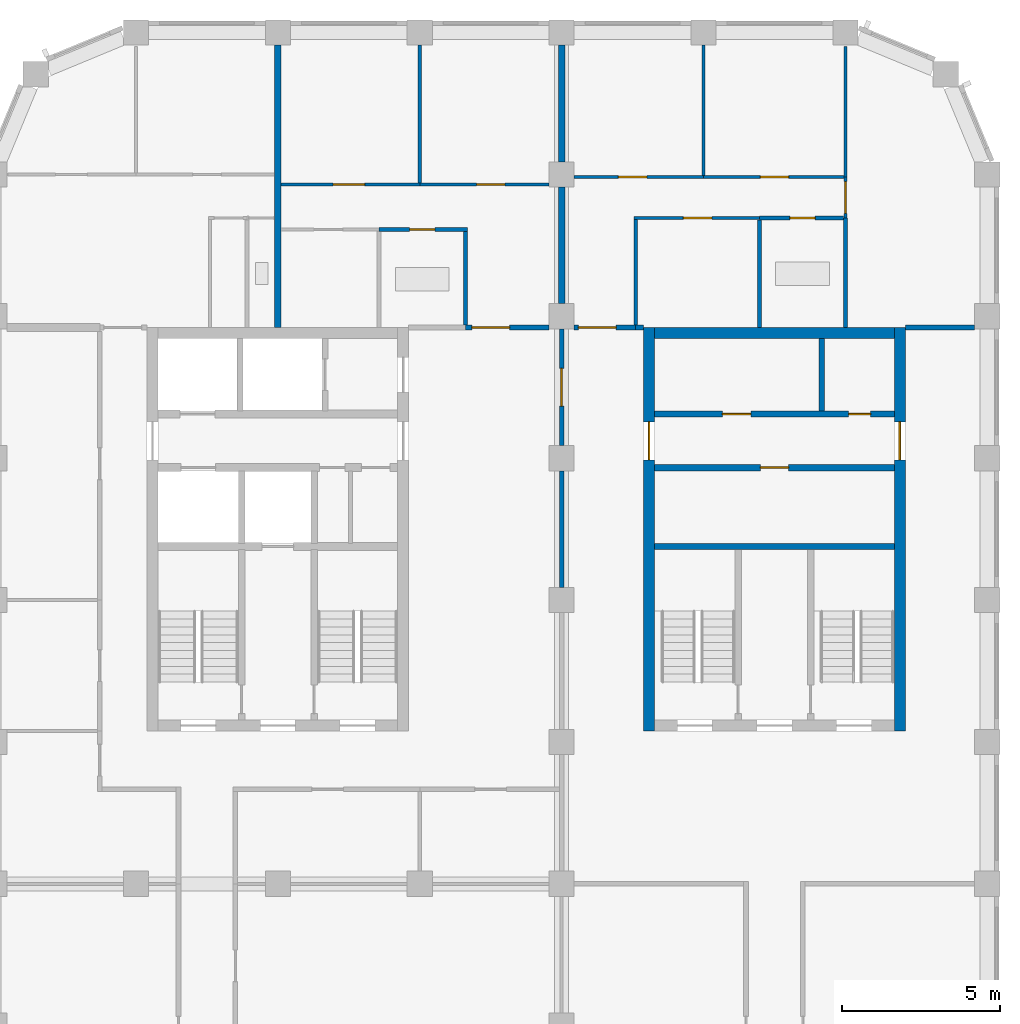
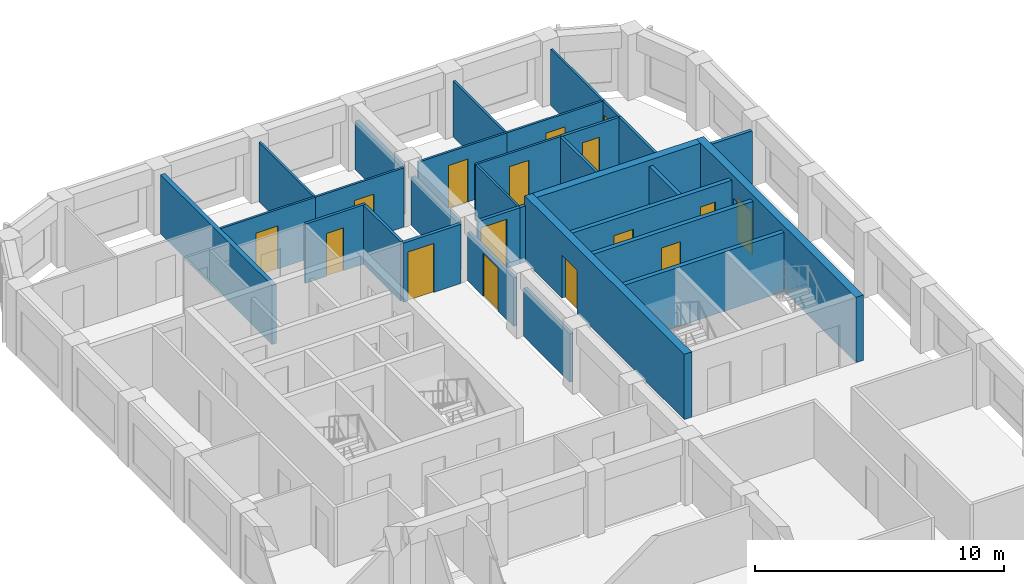
# One storey, part 6 of 9: 31 walls, 16 doors, 16 openings.
"""IFC4 building model written with IfcOpenShell, lengths in metres."""

from ifc_helpers import new_model, si_unit, direction, frame, frame_2d, origin, place, context, subcontext, project, spatial, rectangle, extrude, material, layer, layer_set, type_object, element, fill, save


model = new_model("IFC4")

# Units and contexts
model_context = context("Model", 3, precision=1e-05, world=origin(), true_north=direction((0.0, 1.0)))
body_context = subcontext(model_context, "Body", "Model", "MODEL_VIEW")
ifc_project = project(units=[si_unit("LENGTHUNIT", "METRE"), si_unit("AREAUNIT", "SQUARE_METRE"), si_unit("VOLUMEUNIT", "CUBIC_METRE"), si_unit("PLANEANGLEUNIT", "RADIAN"), si_unit("MASSUNIT", "GRAM", prefix="KILO")], contexts=[model_context])

# Site, building, storey
site_placement = place(None, origin())
site = spatial("IfcSite", under=ifc_project, at=site_placement, CompositionType="ELEMENT")
building_placement = place(site_placement, origin())
building = spatial("IfcBuilding", under=site, at=building_placement, Name="Girih Gate Residences", CompositionType="ELEMENT")
storey_placement = place(building_placement, frame((0.0, 0.0, 206.89501953125)))
storey = spatial("IfcBuildingStorey", under=building, at=storey_placement, Name="L57", CompositionType="ELEMENT", Elevation=206.89501953125)

# Wall, opening, door
ifc_material_1 = material(Name="Gypsum board on steel studs", Category="steel")
ifc_layer_1 = layer(ifc_material_1, 0.14990234375)
ifc_layer_set_1 = layer_set([ifc_layer_1], Name="Compartment wall 150 mm")
wall_type_1 = type_object("IfcWallType", Name="Compartment wall 150 mm", PredefinedType="PARTITIONING", material=ifc_layer_set_1)
wall_1_placement = place(storey_placement, frame((14.949951171875, 40.14990234375, 0.0), z_axis=(0.0, 0.0, 1.0), x_axis=(1.0, 0.0, 0.0)))
wall_1 = element("IfcWall", 1, at=wall_1_placement, inside=storey, type_object=wall_type_1, Name="L57 partition", PredefinedType="PARTITIONING", context=body_context, shape_type="SweptSolid", body=[
    extrude(rectangle(XDim=2.650146484375, YDim=0.14990234375, at=frame_2d((1.3251953125, 0.0))), origin(), (0.0, 0.0, 1.0), 2.89990234375),
])
opening_1_placement = place(wall_1_placement, frame((0.199951171875, 0.0, 0.0)))
opening_1 = element("IfcOpeningElement", 2, at=opening_1_placement, cuts=wall_1, Name="Opening A57-016", PredefinedType="OPENING", context=body_context, shape_type="SweptSolid", body=[
    extrude(rectangle(XDim=1.199951171875, YDim=2.39990234375, at=frame_2d((0.60009765625, 1.199951171875))), frame((0.0, 0.0849609375, 0.0), z_axis=(0.0, -1.0, 0.0), x_axis=(1.0, 0.0, 0.0)), (0.0, 0.0, 1.0), 0.169921875),
])
ifc_material_2 = material(Name="Timber, fire-rated core", Category="wood")
door_type_1 = type_object("IfcDoorType", Name="Villa entrance door 1200x2400 FD30S", OperationType="NOTDEFINED", PredefinedType="DOOR", material=ifc_material_2)
door_1_placement = place(opening_1_placement, origin())
door_1 = element("IfcDoor", 3, at=door_1_placement, inside=storey, type_object=door_type_1, Name="Door A57-016", OperationType="SINGLE_SWING_LEFT", OverallHeight=2.39990234375, OverallWidth=1.199951171875, PredefinedType="DOOR", context=body_context, shape_type="SweptSolid", body=[
    extrude(rectangle(XDim=1.199951171875, YDim=2.39990234375, at=frame_2d((0.60009765625, 1.199951171875))), frame((0.0, 0.02490234375, 0.0), z_axis=(0.0, -1.0, 0.0), x_axis=(1.0, 0.0, 0.0)), (0.0, 0.0, 1.0), 0.050048828125),
])
fill(opening_1, door_1)

wall_2_placement = place(storey_placement, frame((18.39990234375, 40.14990234375, 0.0), z_axis=(0.0, 0.0, 1.0), x_axis=(1.0, 0.0, 0.0)))
wall_2 = element("IfcWall", 4, at=wall_2_placement, inside=storey, type_object=wall_type_1, Name="L57 partition", PredefinedType="PARTITIONING", context=body_context, shape_type="SweptSolid", body=[
    extrude(rectangle(XDim=1.9501953125, YDim=0.14990234375, at=frame_2d((0.97509765625, 0.0))), origin(), (0.0, 0.0, 1.0), 2.75),
])
opening_2_placement = place(wall_2_placement, frame((0.1298828125, 0.0, 0.0)))
opening_2 = element("IfcOpeningElement", 5, at=opening_2_placement, cuts=wall_2, Name="Opening A57-022", PredefinedType="OPENING", context=body_context, shape_type="SweptSolid", body=[
    extrude(rectangle(XDim=1.199951171875, YDim=2.39990234375, at=frame_2d((0.60009765625, 1.199951171875))), frame((0.0, 0.0849609375, 0.0), z_axis=(0.0, -1.0, 0.0), x_axis=(1.0, 0.0, 0.0)), (0.0, 0.0, 1.0), 0.169921875),
])
door_2_placement = place(opening_2_placement, origin())
door_2 = element("IfcDoor", 6, at=door_2_placement, inside=storey, type_object=door_type_1, Name="Door A57-022", OperationType="SINGLE_SWING_LEFT", OverallHeight=2.39990234375, OverallWidth=1.199951171875, PredefinedType="DOOR", context=body_context, shape_type="SweptSolid", body=[
    extrude(rectangle(XDim=1.199951171875, YDim=2.39990234375, at=frame_2d((0.60009765625, 1.199951171875))), frame((0.0, 0.02490234375, 0.0), z_axis=(0.0, -1.0, 0.0), x_axis=(1.0, 0.0, 0.0)), (0.0, 0.0, 1.0), 0.050048828125),
])
fill(opening_2, door_2)

# Walls
wall_3_placement = place(storey_placement, frame((20.35009765625, 40.14990234375, 0.0), z_axis=(0.0, 0.0, 1.0), x_axis=(1.0, 0.0, 0.0)))
element("IfcWall", 7, at=wall_3_placement, inside=storey, type_object=wall_type_1, Name="L57 partition", PredefinedType="PARTITIONING", context=body_context, shape_type="SweptSolid", body=[
    extrude(rectangle(XDim=0.25, YDim=0.14990234375, at=frame_2d((0.125, 0.0))), origin(), (0.0, 0.0, 1.0), 2.75),
])
wall_4_placement = place(storey_placement, frame((28.89990234375, 40.14990234375, 0.0), z_axis=(0.0, 0.0, 1.0), x_axis=(1.0, 0.0, 0.0)))
element("IfcWall", 8, at=wall_4_placement, inside=storey, type_object=wall_type_1, Name="L57 partition", PredefinedType="PARTITIONING", context=body_context, shape_type="SweptSolid", body=[
    extrude(rectangle(XDim=2.2001953125, YDim=0.14990234375, at=frame_2d((1.10009765625, 0.0))), origin(), (0.0, 0.0, 1.0), 2.75),
])
wall_5_placement = place(storey_placement, frame((18.0, 31.89990234375, 0.0), z_axis=(0.0, 0.0, 1.0), x_axis=(0.0, 1.0, 0.0)))
element("IfcWall", 9, at=wall_5_placement, inside=storey, type_object=wall_type_1, Name="L57 partition", PredefinedType="PARTITIONING", context=body_context, shape_type="SweptSolid", body=[
    extrude(rectangle(XDim=3.7001953125, YDim=0.14990234375, at=frame_2d((1.85009765625, 0.0))), origin(), (0.0, 0.0, 1.0), 2.3798828125),
])

# Wall, opening, door
wall_6_placement = place(storey_placement, frame((18.0, 40.10009765625, 0.0), z_axis=(0.0, 0.0, 1.0), x_axis=(0.0, -1.0, 0.0)))
wall_6 = element("IfcWall", 10, at=wall_6_placement, inside=storey, type_object=wall_type_1, Name="L57 partition", PredefinedType="PARTITIONING", context=body_context, shape_type="SweptSolid", body=[
    extrude(rectangle(XDim=3.7001953125, YDim=0.14990234375, at=frame_2d((1.85009765625, 0.0))), origin(), (0.0, 0.0, 1.0), 2.3798828125),
])
opening_3_placement = place(wall_6_placement, frame((1.25, 0.0, 0.0)))
opening_3 = element("IfcOpeningElement", 11, at=opening_3_placement, cuts=wall_6, Name="Opening A57-024", PredefinedType="OPENING", context=body_context, shape_type="SweptSolid", body=[
    extrude(rectangle(XDim=1.199951171875, YDim=2.10009765625, at=frame_2d((0.60009765625, 1.050048828125))), frame((0.0, 0.0849609375, 0.0), z_axis=(0.0, -1.0, 0.0), x_axis=(1.0, 0.0, 0.0)), (0.0, 0.0, 1.0), 0.169921875),
])
door_type_2 = type_object("IfcDoorType", Name="Corridor fire door 1200x2100 FD30S", OperationType="NOTDEFINED", PredefinedType="DOOR", material=ifc_material_2)
door_3_placement = place(opening_3_placement, origin())
door_3 = element("IfcDoor", 12, at=door_3_placement, inside=storey, type_object=door_type_2, Name="Door A57-024", OperationType="SINGLE_SWING_LEFT", OverallHeight=2.10009765625, OverallWidth=1.199951171875, PredefinedType="DOOR", context=body_context, shape_type="SweptSolid", body=[
    extrude(rectangle(XDim=1.199951171875, YDim=2.10009765625, at=frame_2d((0.60009765625, 1.050048828125))), frame((0.0, 0.02490234375, 0.0), z_axis=(0.0, -1.0, 0.0), x_axis=(1.0, 0.0, 0.0)), (0.0, 0.0, 1.0), 0.050048828125),
])
fill(opening_3, door_3)

ifc_layer_2 = layer(ifc_material_1, 0.10009765625)
ifc_layer_set_2 = layer_set([ifc_layer_2], Name="Partition 100 mm")
wall_type_2 = type_object("IfcWallType", Name="Partition 100 mm", PredefinedType="PARTITIONING", material=ifc_layer_set_2)
wall_7_placement = place(storey_placement, frame((13.5, 44.679931640625, 0.0), z_axis=(0.0, 0.0, 1.0), x_axis=(1.0, 0.0, 0.0)))
wall_7 = element("IfcWall", 13, at=wall_7_placement, inside=storey, type_object=wall_type_2, Name="L57 partition", PredefinedType="PARTITIONING", context=body_context, shape_type="SweptSolid", body=[
    extrude(rectangle(XDim=4.10009765625, YDim=0.10009765625, at=frame_2d((2.050048828125, 0.0))), origin(), (0.0, 0.0, 1.0), 2.89990234375),
])
opening_4_placement = place(wall_7_placement, frame((1.800048828125, 0.0, 0.0)))
opening_4 = element("IfcOpeningElement", 14, at=opening_4_placement, cuts=wall_7, Name="Opening A57-013", PredefinedType="OPENING", context=body_context, shape_type="SweptSolid", body=[
    extrude(rectangle(XDim=0.89990234375, YDim=2.10009765625, at=frame_2d((0.449951171875, 1.050048828125))), frame((0.0, 0.06005859375, 0.0), z_axis=(0.0, -1.0, 0.0), x_axis=(1.0, 0.0, 0.0)), (0.0, 0.0, 1.0), 0.1201171875),
])
ifc_material_3 = material(Name="Timber", Category="wood")
door_type_3 = type_object("IfcDoorType", Name="Bedroom door 900x2100", OperationType="NOTDEFINED", PredefinedType="DOOR", material=ifc_material_3)
door_4_placement = place(opening_4_placement, origin())
door_4 = element("IfcDoor", 15, at=door_4_placement, inside=storey, type_object=door_type_3, Name="Door A57-013", OperationType="SINGLE_SWING_RIGHT", OverallHeight=2.10009765625, OverallWidth=0.89990234375, PredefinedType="DOOR", context=body_context, shape_type="SweptSolid", body=[
    extrude(rectangle(XDim=0.89990234375, YDim=2.10009765625, at=frame_2d((0.449951171875, 1.050048828125))), frame((0.0, 0.02490234375, 0.0), z_axis=(0.0, -1.0, 0.0), x_axis=(1.0, 0.0, 0.0)), (0.0, 0.0, 1.0), 0.050048828125),
])
fill(opening_4, door_4)

# Wall
wall_8_placement = place(storey_placement, frame((13.5, 44.72998046875, 0.0), z_axis=(0.0, 0.0, 1.0), x_axis=(0.0, 1.0, 0.0)))
element("IfcWall", 16, at=wall_8_placement, inside=storey, type_object=wall_type_2, Name="L57 partition", PredefinedType="PARTITIONING", context=body_context, shape_type="SweptSolid", body=[
    extrude(rectangle(XDim=4.3701171875, YDim=0.10009765625, at=frame_2d((2.18505859375, 0.0))), origin(), (0.0, 0.0, 1.0), 2.89990234375),
])

# Wall, opening, door
wall_9_placement = place(storey_placement, frame((9.10009765625, 44.679931640625, 0.0), z_axis=(0.0, 0.0, 1.0), x_axis=(1.0, 0.0, 0.0)))
wall_9 = element("IfcWall", 17, at=wall_9_placement, inside=storey, type_object=wall_type_2, Name="L57 partition", PredefinedType="PARTITIONING", context=body_context, shape_type="SweptSolid", body=[
    extrude(rectangle(XDim=4.39990234375, YDim=0.10009765625, at=frame_2d((2.199951171875, 0.0))), origin(), (0.0, 0.0, 1.0), 2.89990234375),
])
opening_5_placement = place(wall_9_placement, frame((1.64990234375, 0.0, 0.0)))
opening_5 = element("IfcOpeningElement", 18, at=opening_5_placement, cuts=wall_9, Name="Opening A57-015", PredefinedType="OPENING", context=body_context, shape_type="SweptSolid", body=[
    extrude(rectangle(XDim=1.0, YDim=2.10009765625, at=frame_2d((0.5, 1.050048828125))), frame((0.0, 0.06005859375, 0.0), z_axis=(0.0, -1.0, 0.0), x_axis=(1.0, 0.0, 0.0)), (0.0, 0.0, 1.0), 0.1201171875),
])
door_type_4 = type_object("IfcDoorType", Name="Living room door 1000x2100", OperationType="NOTDEFINED", PredefinedType="DOOR", material=ifc_material_3)
door_5_placement = place(opening_5_placement, origin())
door_5 = element("IfcDoor", 19, at=door_5_placement, inside=storey, type_object=door_type_4, Name="Door A57-015", OperationType="SINGLE_SWING_LEFT", OverallHeight=2.10009765625, OverallWidth=1.0, PredefinedType="DOOR", context=body_context, shape_type="SweptSolid", body=[
    extrude(rectangle(XDim=1.0, YDim=2.10009765625, at=frame_2d((0.5, 1.050048828125))), frame((0.0, 0.02490234375, 0.0), z_axis=(0.0, -1.0, 0.0), x_axis=(1.0, 0.0, 0.0)), (0.0, 0.0, 1.0), 0.050048828125),
])
fill(opening_5, door_5)

# Wall
wall_10_placement = place(storey_placement, frame((22.5, 44.969970703125, 0.0), z_axis=(0.0, 0.0, 1.0), x_axis=(0.0, 1.0, 0.0)))
element("IfcWall", 20, at=wall_10_placement, inside=storey, type_object=wall_type_2, Name="L57 partition", PredefinedType="PARTITIONING", context=body_context, shape_type="SweptSolid", body=[
    extrude(rectangle(XDim=4.130126953125, YDim=0.10009765625, at=frame_2d((2.06494140625, 0.0))), origin(), (0.0, 0.0, 1.0), 2.75),
])

# Wall, opening, door
wall_11_placement = place(storey_placement, frame((18.39990234375, 44.919921875, 0.0), z_axis=(0.0, 0.0, 1.0), x_axis=(1.0, 0.0, 0.0)))
wall_11 = element("IfcWall", 21, at=wall_11_placement, inside=storey, type_object=wall_type_2, Name="L57 partition", PredefinedType="PARTITIONING", context=body_context, shape_type="SweptSolid", body=[
    extrude(rectangle(XDim=4.10009765625, YDim=0.10009765625, at=frame_2d((2.050048828125, 0.0))), origin(), (0.0, 0.0, 1.0), 2.75),
])
opening_6_placement = place(wall_11_placement, frame((1.39990234375, 0.0, 0.0)))
opening_6 = element("IfcOpeningElement", 22, at=opening_6_placement, cuts=wall_11, Name="Opening A57-018", PredefinedType="OPENING", context=body_context, shape_type="SweptSolid", body=[
    extrude(rectangle(XDim=0.89990234375, YDim=2.10009765625, at=frame_2d((0.449951171875, 1.050048828125))), frame((0.0, 0.06005859375, 0.0), z_axis=(0.0, -1.0, 0.0), x_axis=(1.0, 0.0, 0.0)), (0.0, 0.0, 1.0), 0.1201171875),
])
door_6_placement = place(opening_6_placement, origin())
door_6 = element("IfcDoor", 23, at=door_6_placement, inside=storey, type_object=door_type_3, Name="Door A57-018", OperationType="SINGLE_SWING_LEFT", OverallHeight=2.10009765625, OverallWidth=0.89990234375, PredefinedType="DOOR", context=body_context, shape_type="SweptSolid", body=[
    extrude(rectangle(XDim=0.89990234375, YDim=2.10009765625, at=frame_2d((0.449951171875, 1.050048828125))), frame((0.0, 0.02490234375, 0.0), z_axis=(0.0, -1.0, 0.0), x_axis=(1.0, 0.0, 0.0)), (0.0, 0.0, 1.0), 0.050048828125),
])
fill(opening_6, door_6)

wall_12_placement = place(storey_placement, frame((22.5, 44.919921875, 0.0), z_axis=(0.0, 0.0, 1.0), x_axis=(1.0, 0.0, 0.0)))
wall_12 = element("IfcWall", 24, at=wall_12_placement, inside=storey, type_object=wall_type_2, Name="L57 partition", PredefinedType="PARTITIONING", context=body_context, shape_type="SweptSolid", body=[
    extrude(rectangle(XDim=4.449951171875, YDim=0.10009765625, at=frame_2d((2.22509765625, 0.0))), origin(), (0.0, 0.0, 1.0), 2.75),
])
opening_7_placement = place(wall_12_placement, frame((1.800048828125, 0.0, 0.0)))
opening_7 = element("IfcOpeningElement", 25, at=opening_7_placement, cuts=wall_12, Name="Opening A57-019", PredefinedType="OPENING", context=body_context, shape_type="SweptSolid", body=[
    extrude(rectangle(XDim=0.89990234375, YDim=2.10009765625, at=frame_2d((0.449951171875, 1.050048828125))), frame((0.0, 0.06005859375, 0.0), z_axis=(0.0, -1.0, 0.0), x_axis=(1.0, 0.0, 0.0)), (0.0, 0.0, 1.0), 0.1201171875),
])
door_7_placement = place(opening_7_placement, origin())
door_7 = element("IfcDoor", 26, at=door_7_placement, inside=storey, type_object=door_type_3, Name="Door A57-019", OperationType="SINGLE_SWING_RIGHT", OverallHeight=2.10009765625, OverallWidth=0.89990234375, PredefinedType="DOOR", context=body_context, shape_type="SweptSolid", body=[
    extrude(rectangle(XDim=0.89990234375, YDim=2.10009765625, at=frame_2d((0.449951171875, 1.050048828125))), frame((0.0, 0.02490234375, 0.0), z_axis=(0.0, -1.0, 0.0), x_axis=(1.0, 0.0, 0.0)), (0.0, 0.0, 1.0), 0.050048828125),
])
fill(opening_7, door_7)

# Wall
wall_13_placement = place(storey_placement, frame((27.0, 44.919921875, 0.0), z_axis=(0.0, 0.0, 1.0), x_axis=(0.0, 1.0, 0.0)))
element("IfcWall", 27, at=wall_13_placement, inside=storey, type_object=wall_type_2, Name="L57 partition", PredefinedType="PARTITIONING", context=body_context, shape_type="SweptSolid", body=[
    extrude(rectangle(XDim=4.147216796875, YDim=0.10009765625, at=frame_2d((2.07373046875, 0.0))), origin(), (0.0, 0.0, 1.0), 2.75),
])

# Wall, opening, door
wall_14_placement = place(storey_placement, frame((24.2783203125, 43.6201171875, 0.0), z_axis=(0.0, 0.0, 1.0), x_axis=(-1.0, 0.0, 0.0)))
wall_14 = element("IfcWall", 28, at=wall_14_placement, inside=storey, type_object=wall_type_2, Name="L57 partition", PredefinedType="PARTITIONING", context=body_context, shape_type="SweptSolid", body=[
    extrude(rectangle(XDim=3.978271484375, YDim=0.10009765625, at=frame_2d((1.9892578125, 0.0))), origin(), (0.0, 0.0, 1.0), 2.75),
])
opening_8_placement = place(wall_14_placement, frame((1.51416015625, 0.0, 0.0)))
opening_8 = element("IfcOpeningElement", 29, at=opening_8_placement, cuts=wall_14, Name="Opening A57-020", PredefinedType="OPENING", context=body_context, shape_type="SweptSolid", body=[
    extrude(rectangle(XDim=0.89990234375, YDim=2.10009765625, at=frame_2d((0.449951171875, 1.050048828125))), frame((0.0, 0.06005859375, 0.0), z_axis=(0.0, -1.0, 0.0), x_axis=(1.0, 0.0, 0.0)), (0.0, 0.0, 1.0), 0.1201171875),
])
door_type_5 = type_object("IfcDoorType", Name="Kitchen door 900x2100", OperationType="NOTDEFINED", PredefinedType="DOOR", material=ifc_material_3)
door_8_placement = place(opening_8_placement, origin())
door_8 = element("IfcDoor", 30, at=door_8_placement, inside=storey, type_object=door_type_5, Name="Door A57-020", OperationType="SINGLE_SWING_LEFT", OverallHeight=2.10009765625, OverallWidth=0.89990234375, PredefinedType="DOOR", context=body_context, shape_type="SweptSolid", body=[
    extrude(rectangle(XDim=0.89990234375, YDim=2.10009765625, at=frame_2d((0.449951171875, 1.050048828125))), frame((0.0, 0.02490234375, 0.0), z_axis=(0.0, -1.0, 0.0), x_axis=(1.0, 0.0, 0.0)), (0.0, 0.0, 1.0), 0.050048828125),
])
fill(opening_8, door_8)

# Wall
wall_15_placement = place(storey_placement, frame((20.35009765625, 40.22509765625, 0.0), z_axis=(0.0, 0.0, 1.0), x_axis=(0.0, 1.0, 0.0)))
element("IfcWall", 31, at=wall_15_placement, inside=storey, type_object=wall_type_2, Name="L57 partition", PredefinedType="PARTITIONING", context=body_context, shape_type="SweptSolid", body=[
    extrude(rectangle(XDim=3.344970703125, YDim=0.10009765625, at=frame_2d((1.67236328125, 0.0))), origin(), (0.0, 0.0, 1.0), 2.75),
])

# Wall, opening, door
wall_16_placement = place(storey_placement, frame((27.0, 44.919921875, 0.0), z_axis=(0.0, 0.0, 1.0), x_axis=(0.0, -1.0, 0.0)))
wall_16 = element("IfcWall", 32, at=wall_16_placement, inside=storey, type_object=wall_type_2, Name="L57 partition", PredefinedType="PARTITIONING", context=body_context, shape_type="SweptSolid", body=[
    extrude(rectangle(XDim=1.2998046875, YDim=0.10009765625, at=frame_2d((0.64990234375, 0.0))), origin(), (0.0, 0.0, 1.0), 2.75),
])
opening_9_placement = place(wall_16_placement, frame((0.14990234375, 0.0, 0.0)))
opening_9 = element("IfcOpeningElement", 33, at=opening_9_placement, cuts=wall_16, Name="Opening A57-021", PredefinedType="OPENING", context=body_context, shape_type="SweptSolid", body=[
    extrude(rectangle(XDim=1.0, YDim=2.10009765625, at=frame_2d((0.5, 1.050048828125))), frame((0.0, 0.06005859375, 0.0), z_axis=(0.0, -1.0, 0.0), x_axis=(1.0, 0.0, 0.0)), (0.0, 0.0, 1.0), 0.1201171875),
])
door_9_placement = place(opening_9_placement, origin())
door_9 = element("IfcDoor", 34, at=door_9_placement, inside=storey, type_object=door_type_4, Name="Door A57-021", OperationType="SINGLE_SWING_LEFT", OverallHeight=2.10009765625, OverallWidth=1.0, PredefinedType="DOOR", context=body_context, shape_type="SweptSolid", body=[
    extrude(rectangle(XDim=1.0, YDim=2.10009765625, at=frame_2d((0.5, 1.050048828125))), frame((0.0, 0.02490234375, 0.0), z_axis=(0.0, -1.0, 0.0), x_axis=(1.0, 0.0, 0.0)), (0.0, 0.0, 1.0), 0.050048828125),
])
fill(opening_9, door_9)

# Walls
ifc_layer_3 = layer(ifc_material_1, 0.199951171875)
ifc_layer_set_3 = layer_set([ifc_layer_3], Name="Party wall 200 mm")
wall_type_3 = type_object("IfcWallType", Name="Party wall 200 mm", PredefinedType="PARTITIONING", material=ifc_layer_set_3)
wall_17_placement = place(storey_placement, frame((9.0, 40.14990234375, 0.0), z_axis=(0.0, 0.0, 1.0), x_axis=(0.0, 1.0, 0.0)))
element("IfcWall", 35, at=wall_17_placement, inside=storey, type_object=wall_type_3, Name="L57 partition", PredefinedType="PARTITIONING", context=body_context, shape_type="SweptSolid", body=[
    extrude(rectangle(XDim=8.9501953125, YDim=0.199951171875, at=frame_2d((4.47509765625, 0.0))), origin(), (0.0, 0.0, 1.0), 2.89990234375),
])
for number, where, z_axis, x_axis, name in (
    (36, (18.0, 45.39990234375, 0.0), (0.0, 0.0, 1.0), (0.0, 1.0, 0.0), "L57 partition"),
    (37, (18.0, 40.89990234375, 0.0), (0.0, 0.0, 1.0), (0.0, 1.0, 0.0), "L57 partition"),
):
    element("IfcWall", number, at=place(storey_placement, frame(where, z_axis=z_axis, x_axis=x_axis)), inside=storey, type_object=wall_type_3, Name=name, PredefinedType="PARTITIONING", context=body_context, shape_type="SweptSolid", body=[
        extrude(rectangle(XDim=3.7001953125, YDim=0.199951171875, at=frame_2d((1.85009765625, 0.0))), origin(), (0.0, 0.0, 1.0), 2.3798828125),
    ])
ifc_material_4 = material(Name="Concrete C40/50", Category="concrete")
ifc_layer_4 = layer(ifc_material_4, 0.175048828125)
ifc_layer_set_4 = layer_set([ifc_layer_4], Name="Riser shaft wall 175")
wall_type_4 = type_object("IfcWallType", Name="Riser shaft wall 175", PredefinedType="SOLIDWALL", material=ifc_layer_set_4)
wall_18_placement = place(storey_placement, frame((26.25, 37.5, 0.0), z_axis=(0.0, 0.0, 1.0), x_axis=(0.0, 1.0, 0.0)))
element("IfcWall", 38, at=wall_18_placement, inside=storey, type_object=wall_type_4, Name="L57 C core wall V2c", PredefinedType="SOLIDWALL", context=body_context, shape_type="SweptSolid", body=[
    extrude(rectangle(XDim=2.300048828125, YDim=0.175048828125, at=frame_2d((1.14990234375, 0.0))), origin(), (0.0, 0.0, 1.0), 2.89990234375),
])
ifc_layer_5 = layer(ifc_material_4, 0.199951171875)
ifc_layer_set_5 = layer_set([ifc_layer_5], Name="Shaft wall 200")
wall_type_5 = type_object("IfcWallType", Name="Shaft wall 200", PredefinedType="SOLIDWALL", material=ifc_layer_set_5)
wall_19_placement = place(storey_placement, frame((20.949951171875, 33.199951171875, 0.0), z_axis=(0.0, 0.0, 1.0), x_axis=(1.0, 0.0, 0.0)))
element("IfcWall", 39, at=wall_19_placement, inside=storey, type_object=wall_type_5, Name="L57 C core wall H1", PredefinedType="SOLIDWALL", context=body_context, shape_type="SweptSolid", body=[
    extrude(rectangle(XDim=7.60009765625, YDim=0.199951171875, at=frame_2d((3.800048828125, 0.0))), origin(), (0.0, 0.0, 1.0), 2.89990234375),
])

# Wall, opening, door
wall_20_placement = place(storey_placement, frame((20.949951171875, 35.699951171875, 0.0), z_axis=(0.0, 0.0, 1.0), x_axis=(1.0, 0.0, 0.0)))
wall_20 = element("IfcWall", 40, at=wall_20_placement, inside=storey, type_object=wall_type_5, Name="L57 C core wall H2", PredefinedType="SOLIDWALL", context=body_context, shape_type="SweptSolid", body=[
    extrude(rectangle(XDim=7.60009765625, YDim=0.199951171875, at=frame_2d((3.800048828125, 0.0))), origin(), (0.0, 0.0, 1.0), 2.89990234375),
])
opening_10_placement = place(wall_20_placement, frame((3.35009765625, 0.0, 0.0)))
opening_10 = element("IfcOpeningElement", 41, at=opening_10_placement, cuts=wall_20, Name="Opening D-L57-C-004", PredefinedType="OPENING", context=body_context, shape_type="SweptSolid", body=[
    extrude(rectangle(XDim=0.89990234375, YDim=2.10009765625, at=frame_2d((0.449951171875, 1.050048828125))), frame((0.0, 0.10986328125, 0.0), z_axis=(0.0, -1.0, 0.0), x_axis=(1.0, 0.0, 0.0)), (0.0, 0.0, 1.0), 0.219970703125),
])
ifc_material_5 = material(Name="Painted steel, fire-resisting", Category="steel")
door_type_6 = type_object("IfcDoorType", Name="Fire door 900x2100", OperationType="SINGLE_SWING_LEFT", PredefinedType="DOOR", material=ifc_material_5)
door_10_placement = place(opening_10_placement, origin())
door_10 = element("IfcDoor", 42, at=door_10_placement, inside=storey, type_object=door_type_6, Name="L57 C maintenance store door", OperationType="SINGLE_SWING_LEFT", OverallHeight=2.10009765625, OverallWidth=0.89990234375, PredefinedType="DOOR", context=body_context, shape_type="SweptSolid", body=[
    extrude(rectangle(XDim=0.89990234375, YDim=2.10009765625, at=frame_2d((0.449951171875, 1.050048828125))), frame((0.0, 0.02490234375, 0.0), z_axis=(0.0, -1.0, 0.0), x_axis=(1.0, 0.0, 0.0)), (0.0, 0.0, 1.0), 0.050048828125),
])
fill(opening_10, door_10)

# Wall, openings, doors
wall_21_placement = place(storey_placement, frame((20.949951171875, 37.39990234375, 0.0), z_axis=(0.0, 0.0, 1.0), x_axis=(1.0, 0.0, 0.0)))
wall_21 = element("IfcWall", 43, at=wall_21_placement, inside=storey, type_object=wall_type_5, Name="L57 C core wall H3", PredefinedType="SOLIDWALL", context=body_context, shape_type="SweptSolid", body=[
    extrude(rectangle(XDim=7.60009765625, YDim=0.199951171875, at=frame_2d((3.800048828125, 0.0))), origin(), (0.0, 0.0, 1.0), 2.89990234375),
])
opening_11_placement = place(wall_21_placement, frame((6.14990234375, 0.0, 0.0)))
opening_11 = element("IfcOpeningElement", 44, at=opening_11_placement, cuts=wall_21, Name="Opening D-L57-C-003", PredefinedType="OPENING", context=body_context, shape_type="SweptSolid", body=[
    extrude(rectangle(XDim=0.699951171875, YDim=2.10009765625, at=frame_2d((0.35009765625, 1.050048828125))), frame((0.0, 0.10986328125, 0.0), z_axis=(0.0, -1.0, 0.0), x_axis=(1.0, 0.0, 0.0)), (0.0, 0.0, 1.0), 0.219970703125),
])
opening_12_placement = place(wall_21_placement, frame((2.14990234375, 0.0, 0.0)))
opening_12 = element("IfcOpeningElement", 45, at=opening_12_placement, cuts=wall_21, Name="Opening D-L57-C-005", PredefinedType="OPENING", context=body_context, shape_type="SweptSolid", body=[
    extrude(rectangle(XDim=0.89990234375, YDim=2.10009765625, at=frame_2d((0.449951171875, 1.050048828125))), frame((0.0, 0.10986328125, 0.0), z_axis=(0.0, -1.0, 0.0), x_axis=(1.0, 0.0, 0.0)), (0.0, 0.0, 1.0), 0.219970703125),
])
door_11_placement = place(opening_12_placement, origin())
door_11 = element("IfcDoor", 46, at=door_11_placement, inside=storey, type_object=door_type_6, Name="L57 C linen store door", OperationType="SINGLE_SWING_LEFT", OverallHeight=2.10009765625, OverallWidth=0.89990234375, PredefinedType="DOOR", context=body_context, shape_type="SweptSolid", body=[
    extrude(rectangle(XDim=0.89990234375, YDim=2.10009765625, at=frame_2d((0.449951171875, 1.050048828125))), frame((0.0, 0.02490234375, 0.0), z_axis=(0.0, -1.0, 0.0), x_axis=(1.0, 0.0, 0.0)), (0.0, 0.0, 1.0), 0.050048828125),
])
fill(opening_12, door_11)
door_type_7 = type_object("IfcDoorType", Name="Riser access door 700x2100", OperationType="SINGLE_SWING_LEFT", PredefinedType="DOOR", material=ifc_material_5)
door_12_placement = place(opening_11_placement, origin())
door_12 = element("IfcDoor", 47, at=door_12_placement, inside=storey, type_object=door_type_7, Name="L57 C riser room door", OperationType="SINGLE_SWING_LEFT", OverallHeight=2.10009765625, OverallWidth=0.699951171875, PredefinedType="DOOR", context=body_context, shape_type="SweptSolid", body=[
    extrude(rectangle(XDim=0.699951171875, YDim=2.10009765625, at=frame_2d((0.35009765625, 1.050048828125))), frame((0.0, 0.02490234375, 0.0), z_axis=(0.0, -1.0, 0.0), x_axis=(1.0, 0.0, 0.0)), (0.0, 0.0, 1.0), 0.050048828125),
])
fill(opening_11, door_12)

# Wall
ifc_layer_6 = layer(ifc_material_4, 0.35009765625)
ifc_layer_set_6 = layer_set([ifc_layer_6], Name="Stair core wall RC 350 Concrete C40/50")
wall_type_6 = type_object("IfcWallType", Name="Stair core wall RC 350 Concrete C40/50", PredefinedType="SOLIDWALL", material=ifc_layer_set_6)
wall_22_placement = place(storey_placement, frame((20.949951171875, 39.97509765625, 0.0), z_axis=(0.0, 0.0, 1.0), x_axis=(1.0, 0.0, 0.0)))
element("IfcWall", 48, at=wall_22_placement, inside=storey, type_object=wall_type_6, Name="Stair core wall C-N L57", PredefinedType="SOLIDWALL", context=body_context, shape_type="SweptSolid", body=[
    extrude(rectangle(XDim=7.60009765625, YDim=0.35009765625, at=frame_2d((3.800048828125, 0.0))), origin(), (0.0, 0.0, 1.0), 3.199951171875),
])

# Wall, opening, door
wall_23_placement = place(storey_placement, frame((20.77490234375, 27.35009765625, 0.0), z_axis=(0.0, 0.0, 1.0), x_axis=(0.0, 1.0, 0.0)))
wall_23 = element("IfcWall", 49, at=wall_23_placement, inside=storey, type_object=wall_type_6, Name="Stair core wall C-W L57", PredefinedType="SOLIDWALL", context=body_context, shape_type="SweptSolid", body=[
    extrude(rectangle(XDim=12.7998046875, YDim=0.35009765625, at=frame_2d((6.39990234375, 0.0))), origin(), (0.0, 0.0, 1.0), 3.199951171875),
])
opening_13_placement = place(wall_23_placement, frame((8.60009765625, 0.0, 0.0)))
opening_13 = element("IfcOpeningElement", 50, at=opening_13_placement, cuts=wall_23, Name="Opening D-L57-C-009", PredefinedType="OPENING", context=body_context, shape_type="SweptSolid", body=[
    extrude(rectangle(XDim=1.199951171875, YDim=2.10009765625, at=frame_2d((0.60009765625, 1.050048828125))), frame((0.0, 0.18505859375, 0.0), z_axis=(0.0, -1.0, 0.0), x_axis=(1.0, 0.0, 0.0)), (0.0, 0.0, 1.0), 0.3701171875),
])
door_type_8 = type_object("IfcDoorType", Name="Fire door 1200x2100", OperationType="SINGLE_SWING_LEFT", PredefinedType="DOOR", material=ifc_material_5)
door_13_placement = place(opening_13_placement, origin())
door_13 = element("IfcDoor", 51, at=door_13_placement, inside=storey, type_object=door_type_8, Name="L57 C core door ll-w", OperationType="SINGLE_SWING_LEFT", OverallHeight=2.10009765625, OverallWidth=1.199951171875, PredefinedType="DOOR", context=body_context, shape_type="SweptSolid", body=[
    extrude(rectangle(XDim=1.199951171875, YDim=2.10009765625, at=frame_2d((0.60009765625, 1.050048828125))), frame((0.0, 0.02490234375, 0.0), z_axis=(0.0, -1.0, 0.0), x_axis=(1.0, 0.0, 0.0)), (0.0, 0.0, 1.0), 0.050048828125),
])
fill(opening_13, door_13)

wall_24_placement = place(storey_placement, frame((28.72509765625, 27.35009765625, 0.0), z_axis=(0.0, 0.0, 1.0), x_axis=(0.0, 1.0, 0.0)))
wall_24 = element("IfcWall", 52, at=wall_24_placement, inside=storey, type_object=wall_type_6, Name="Stair core wall C-E L57", PredefinedType="SOLIDWALL", context=body_context, shape_type="SweptSolid", body=[
    extrude(rectangle(XDim=12.7998046875, YDim=0.35009765625, at=frame_2d((6.39990234375, 0.0))), origin(), (0.0, 0.0, 1.0), 3.199951171875),
])
opening_14_placement = place(wall_24_placement, frame((8.60009765625, 0.0, 0.0)))
opening_14 = element("IfcOpeningElement", 53, at=opening_14_placement, cuts=wall_24, Name="Opening D-L57-C-010", PredefinedType="OPENING", context=body_context, shape_type="SweptSolid", body=[
    extrude(rectangle(XDim=1.199951171875, YDim=2.10009765625, at=frame_2d((0.60009765625, 1.050048828125))), frame((0.0, 0.18505859375, 0.0), z_axis=(0.0, -1.0, 0.0), x_axis=(1.0, 0.0, 0.0)), (0.0, 0.0, 1.0), 0.3701171875),
])
door_14_placement = place(opening_14_placement, origin())
door_14 = element("IfcDoor", 54, at=door_14_placement, inside=storey, type_object=door_type_8, Name="L57 C core door ll-e", OperationType="SINGLE_SWING_LEFT", OverallHeight=2.10009765625, OverallWidth=1.199951171875, PredefinedType="DOOR", context=body_context, shape_type="SweptSolid", body=[
    extrude(rectangle(XDim=1.199951171875, YDim=2.10009765625, at=frame_2d((0.60009765625, 1.050048828125))), frame((0.0, 0.02490234375, 0.0), z_axis=(0.0, -1.0, 0.0), x_axis=(1.0, 0.0, 0.0)), (0.0, 0.0, 1.0), 0.050048828125),
])
fill(opening_14, door_14)

ifc_layer_7 = layer(ifc_material_1, 0.125)
ifc_layer_set_7 = layer_set([ifc_layer_7], Name="Wet room wall 125 mm")
wall_type_7 = type_object("IfcWallType", Name="Wet room wall 125 mm", PredefinedType="PARTITIONING", material=ifc_layer_set_7)
wall_25_placement = place(storey_placement, frame((15.012451171875, 43.260009765625, 0.0), z_axis=(0.0, 0.0, 1.0), x_axis=(-1.0, 0.0, 0.0)))
wall_25 = element("IfcWall", 55, at=wall_25_placement, inside=storey, type_object=wall_type_7, Name="L57 partition", PredefinedType="PARTITIONING", context=body_context, shape_type="SweptSolid", body=[
    extrude(rectangle(XDim=2.8115234375, YDim=0.125, at=frame_2d((1.40576171875, 0.0))), origin(), (0.0, 0.0, 1.0), 2.89990234375),
])
opening_15_placement = place(wall_25_placement, frame((1.037109375, 0.0, 0.0)))
opening_15 = element("IfcOpeningElement", 56, at=opening_15_placement, cuts=wall_25, Name="Opening A57-012", PredefinedType="OPENING", context=body_context, shape_type="SweptSolid", body=[
    extrude(rectangle(XDim=0.800048828125, YDim=2.10009765625, at=frame_2d((0.39990234375, 1.050048828125))), frame((0.0, 0.072509765625, 0.0), z_axis=(0.0, -1.0, 0.0), x_axis=(1.0, 0.0, 0.0)), (0.0, 0.0, 1.0), 0.14501953125),
])
door_type_9 = type_object("IfcDoorType", Name="Bathroom door 800x2100", OperationType="NOTDEFINED", PredefinedType="DOOR", material=ifc_material_3)
door_15_placement = place(opening_15_placement, origin())
door_15 = element("IfcDoor", 57, at=door_15_placement, inside=storey, type_object=door_type_9, Name="Door A57-012", OperationType="SINGLE_SWING_RIGHT", OverallHeight=2.10009765625, OverallWidth=0.800048828125, PredefinedType="DOOR", context=body_context, shape_type="SweptSolid", body=[
    extrude(rectangle(XDim=0.800048828125, YDim=2.10009765625, at=frame_2d((0.39990234375, 1.050048828125))), frame((0.0, 0.02490234375, 0.0), z_axis=(0.0, -1.0, 0.0), x_axis=(1.0, 0.0, 0.0)), (0.0, 0.0, 1.0), 0.050048828125),
])
fill(opening_15, door_15)

# Wall
wall_26_placement = place(storey_placement, frame((14.949951171875, 40.22509765625, 0.0), z_axis=(0.0, 0.0, 1.0), x_axis=(0.0, 1.0, 0.0)))
element("IfcWall", 58, at=wall_26_placement, inside=storey, type_object=wall_type_7, Name="L57 partition", PredefinedType="PARTITIONING", context=body_context, shape_type="SweptSolid", body=[
    extrude(rectangle(XDim=2.972412109375, YDim=0.125, at=frame_2d((1.486328125, 0.0))), origin(), (0.0, 0.0, 1.0), 2.89990234375),
])

# Wall, opening, door
wall_27_placement = place(storey_placement, frame((26.9375, 43.6201171875, 0.0), z_axis=(0.0, 0.0, 1.0), x_axis=(-1.0, 0.0, 0.0)))
wall_27 = element("IfcWall", 59, at=wall_27_placement, inside=storey, type_object=wall_type_7, Name="L57 partition", PredefinedType="PARTITIONING", context=body_context, shape_type="SweptSolid", body=[
    extrude(rectangle(XDim=2.6591796875, YDim=0.125, at=frame_2d((1.32958984375, 0.0))), origin(), (0.0, 0.0, 1.0), 2.75),
])
opening_16_placement = place(wall_27_placement, frame((0.898193359375, 0.0, 0.0)))
opening_16 = element("IfcOpeningElement", 60, at=opening_16_placement, cuts=wall_27, Name="Opening A57-017", PredefinedType="OPENING", context=body_context, shape_type="SweptSolid", body=[
    extrude(rectangle(XDim=0.800048828125, YDim=2.10009765625, at=frame_2d((0.39990234375, 1.050048828125))), frame((0.0, 0.072509765625, 0.0), z_axis=(0.0, -1.0, 0.0), x_axis=(1.0, 0.0, 0.0)), (0.0, 0.0, 1.0), 0.14501953125),
])
door_16_placement = place(opening_16_placement, origin())
door_16 = element("IfcDoor", 61, at=door_16_placement, inside=storey, type_object=door_type_9, Name="Door A57-017", OperationType="SINGLE_SWING_LEFT", OverallHeight=2.10009765625, OverallWidth=0.800048828125, PredefinedType="DOOR", context=body_context, shape_type="SweptSolid", body=[
    extrude(rectangle(XDim=0.800048828125, YDim=2.10009765625, at=frame_2d((0.39990234375, 1.050048828125))), frame((0.0, 0.02490234375, 0.0), z_axis=(0.0, -1.0, 0.0), x_axis=(1.0, 0.0, 0.0)), (0.0, 0.0, 1.0), 0.050048828125),
])
fill(opening_16, door_16)

# Walls
wall_28_placement = place(storey_placement, frame((24.278076171875, 40.14990234375, 0.0), z_axis=(0.0, 0.0, 1.0), x_axis=(0.0, 1.0, 0.0)))
element("IfcWall", 62, at=wall_28_placement, inside=storey, type_object=wall_type_7, Name="L57 partition", PredefinedType="PARTITIONING", context=body_context, shape_type="SweptSolid", body=[
    extrude(rectangle(XDim=3.40771484375, YDim=0.125, at=frame_2d((1.703857421875, 0.0))), origin(), (0.0, 0.0, 1.0), 2.75),
])
wall_29_placement = place(storey_placement, frame((27.0, 40.14990234375, 0.0), z_axis=(0.0, 0.0, 1.0), x_axis=(0.0, 1.0, 0.0)))
element("IfcWall", 63, at=wall_29_placement, inside=storey, type_object=wall_type_7, Name="L57 partition", PredefinedType="PARTITIONING", context=body_context, shape_type="SweptSolid", body=[
    extrude(rectangle(XDim=3.47021484375, YDim=0.125, at=frame_2d((1.735107421875, 0.0))), origin(), (0.0, 0.0, 1.0), 2.75),
])

save(model, "model.ifc")
